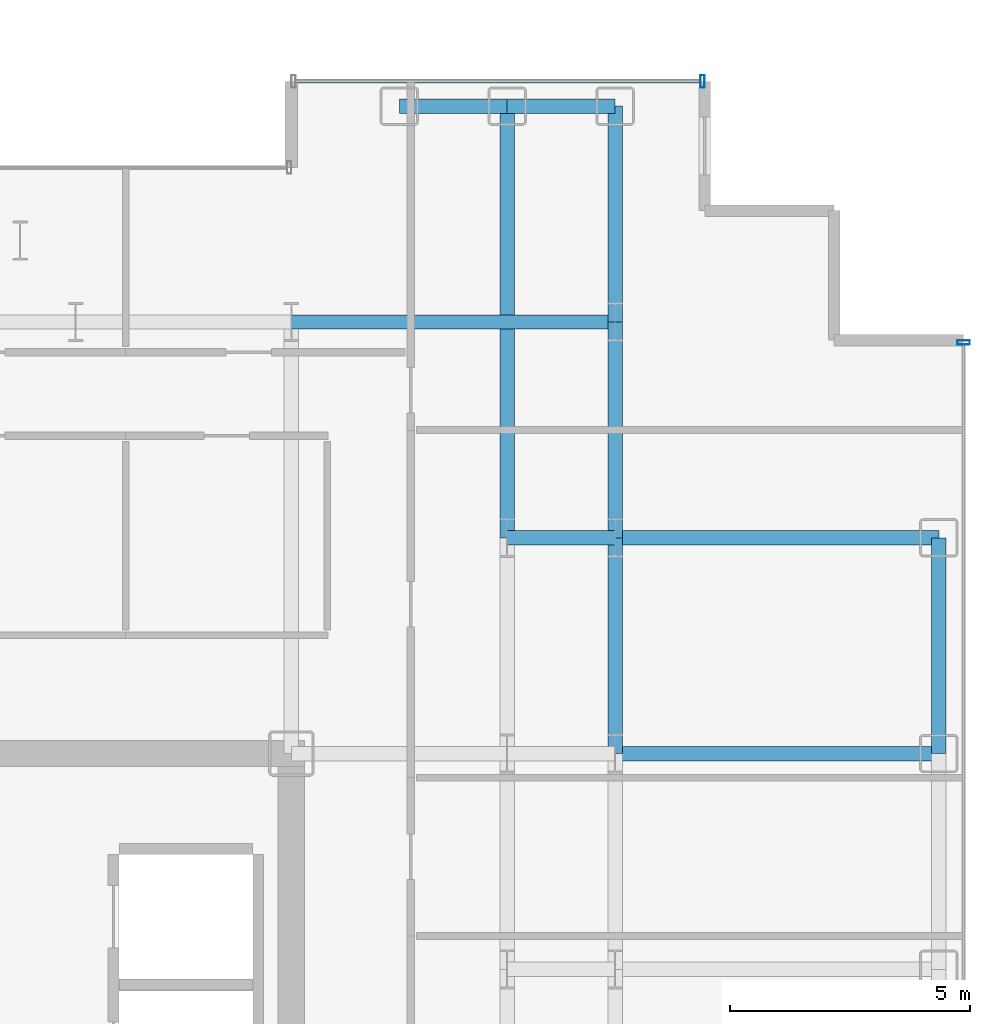
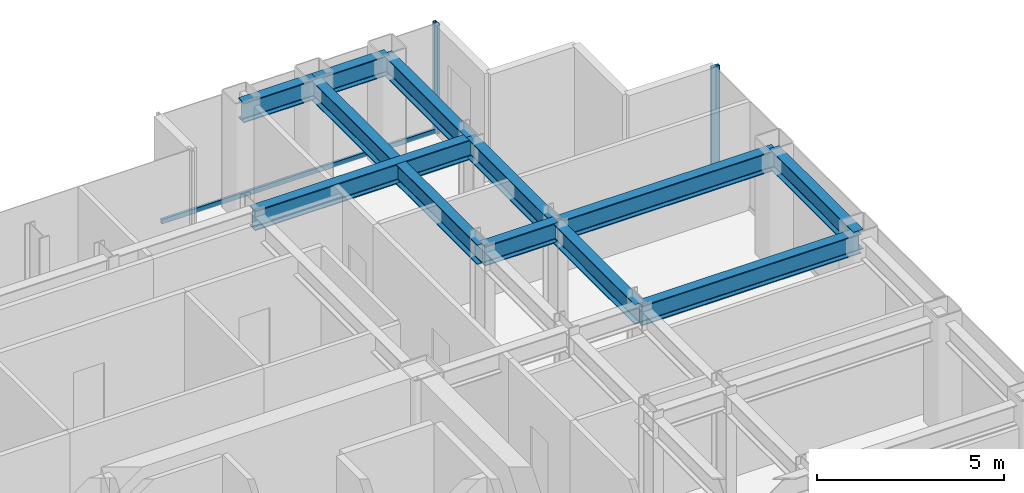
# One storey, part 14 of 23: 11 beams, 3 members, 2 elements without a shape of their own.
"""IFC4 building model written with IfcOpenShell, lengths in metres."""

from ifc_helpers import new_model, si_unit, direction, frame, origin, origin_2d, place, context, subcontext, project, spatial, hollow_rectangle, i_section, extrude, source, transform, mapped, material, layer, layer_set, material_profile, profile_set, type_object, element, aggregate, save


model = new_model("IFC4")

# Units and contexts
model_context = context("Model", 3, precision=1e-05, world=origin(), true_north=direction((0.0, 1.0)))
body_context = subcontext(model_context, "Body", "Model", "MODEL_VIEW")
ifc_project = project(units=[si_unit("LENGTHUNIT", "METRE"), si_unit("AREAUNIT", "SQUARE_METRE"), si_unit("VOLUMEUNIT", "CUBIC_METRE"), si_unit("PLANEANGLEUNIT", "RADIAN"), si_unit("MASSUNIT", "GRAM", prefix="KILO")], contexts=[model_context])

# Site, building, storey
site_placement = place(None, origin())
site = spatial("IfcSite", under=ifc_project, at=site_placement, CompositionType="ELEMENT")
building_placement = place(site_placement, origin())
building = spatial("IfcBuilding", under=site, at=building_placement, Name="Nefas-Gora Pilgrimage Tower", CompositionType="ELEMENT")
storey_placement = place(building_placement, frame((0.0, 0.0, 175.39990234375)))
storey = spatial("IfcBuildingStorey", under=building, at=storey_placement, Name="L43", CompositionType="ELEMENT", Elevation=175.39990234375)

# Beams
ifc_material_1 = material(Name="Steel S355", Category="steel")
ifc_material_profile_1 = material_profile(ifc_material_1, i_section(OverallWidth=0.300048828125, OverallDepth=0.64990234375, WebThickness=0.01611328125, FlangeThickness=0.031005859375, FilletRadius=0.027099609375, at=origin_2d()), Name="HEB 650")
ifc_profile_set_1 = profile_set([ifc_material_profile_1], Name="Steel S355")
beam_type_1 = type_object("IfcBeamType", Name="BM-SPN-HEB500", PredefinedType="SPANDREL", material=ifc_profile_set_1)
shared_shape_1 = source(origin(), body_context, "Body", "SweptSolid", [
    extrude(i_section(OverallWidth=0.300048828125, OverallDepth=0.64990234375, WebThickness=0.01611328125, FlangeThickness=0.031005859375, FilletRadius=0.027099609375, at=origin_2d()), origin(), (0.0, 0.0, 1.0), 4.5),
])
beam_1_placement = place(storey_placement, frame((24.75, 9.0, 3.22509765625), z_axis=(0.0, 1.0, 0.0), x_axis=(-1.0, 0.0, 0.0)))
element("IfcBeam", 1, at=beam_1_placement, inside=storey, type_object=beam_type_1, Name="L43 SP-02 beam", PredefinedType="SPANDREL", context=body_context, shape_type="MappedRepresentation", body=[
    mapped(shared_shape_1, transform((0.0, 0.0, 0.0), x_axis=(1.0, 0.0, 0.0), y_axis=(0.0, 1.0, 0.0), z_axis=(0.0, 0.0, 1.0), scale=1.0)),
])
ifc_material_profile_2 = material_profile(ifc_material_1, i_section(OverallWidth=0.300048828125, OverallDepth=0.64990234375, WebThickness=0.01611328125, FlangeThickness=0.031005859375, FilletRadius=0.027099609375, at=origin_2d()), Name="HEB 650")
ifc_profile_set_2 = profile_set([ifc_material_profile_2], Name="Steel S355")
beam_type_2 = type_object("IfcBeamType", Name="BM-GIR-HEB650", PredefinedType="BEAM", material=ifc_profile_set_2)
shared_shape_2 = source(origin(), body_context, "Body", "SweptSolid", [
    extrude(i_section(OverallWidth=0.300048828125, OverallDepth=0.64990234375, WebThickness=0.01611328125, FlangeThickness=0.031005859375, FilletRadius=0.027099609375, at=origin_2d()), origin(), (0.0, 0.0, 1.0), 9.0),
])
beam_2_placement = place(storey_placement, frame((15.75, 13.5, 3.22509765625), z_axis=(0.0, 1.0, 0.0), x_axis=(-1.0, 0.0, 0.0)))
element("IfcBeam", 2, at=beam_2_placement, inside=storey, type_object=beam_type_2, Name="L43 G-03 beam", PredefinedType="BEAM", context=body_context, shape_type="MappedRepresentation", body=[
    mapped(shared_shape_2, transform((0.0, 0.0, 0.0), x_axis=(1.0, 0.0, 0.0), y_axis=(0.0, 1.0, 0.0), z_axis=(0.0, 0.0, 1.0), scale=1.0)),
])
shared_shape_3 = source(origin(), body_context, "Body", "SweptSolid", [
    extrude(i_section(OverallWidth=0.300048828125, OverallDepth=0.64990234375, WebThickness=0.01611328125, FlangeThickness=0.031005859375, FilletRadius=0.027099609375, at=origin_2d()), origin(), (0.0, 0.0, 1.0), 4.5),
])
for number, where, z_axis, x_axis, name in (
    (3, (18.0, 9.0, 3.22509765625), (0.0, 1.0, 0.0), (-1.0, 0.0, 0.0), "L43 G-03 beam"),
    (4, (18.0, 13.5, 3.22509765625), (0.0, 1.0, 0.0), (-1.0, 0.0, 0.0), "L43 G-03 beam"),
    (5, (18.0, 18.0, 3.22509765625), (0.0, 1.0, 0.0), (-1.0, 0.0, 0.0), "L43 G-03 beam"),
):
    element("IfcBeam", number, at=place(storey_placement, frame(where, z_axis=z_axis, x_axis=x_axis)), inside=storey, type_object=beam_type_2, Name=name, PredefinedType="BEAM", context=body_context, shape_type="MappedRepresentation", body=[
        mapped(shared_shape_3, transform((0.0, 0.0, 0.0), x_axis=(1.0, 0.0, 0.0), y_axis=(0.0, 1.0, 0.0), z_axis=(0.0, 0.0, 1.0), scale=1.0)),
    ])
shared_shape_4 = source(origin(), body_context, "Body", "SweptSolid", [
    extrude(i_section(OverallWidth=0.300048828125, OverallDepth=0.64990234375, WebThickness=0.01611328125, FlangeThickness=0.031005859375, FilletRadius=0.027099609375, at=origin_2d()), origin(), (0.0, 0.0, 1.0), 6.75),
])
for number, where, z_axis, x_axis, name in (
    (6, (11.25, 18.0, 3.22509765625), (1.0, 0.0, 0.0), (0.0, 1.0, 0.0), "L43 G-03 beam"),
    (7, (18.0, 9.0, 3.22509765625), (1.0, 0.0, 0.0), (0.0, 1.0, 0.0), "L43 G-03 beam"),
    (8, (18.0, 13.5, 3.22509765625), (1.0, 0.0, 0.0), (0.0, 1.0, 0.0), "L43 G-03 beam"),
):
    element("IfcBeam", number, at=place(storey_placement, frame(where, z_axis=z_axis, x_axis=x_axis)), inside=storey, type_object=beam_type_2, Name=name, PredefinedType="BEAM", context=body_context, shape_type="MappedRepresentation", body=[
        mapped(shared_shape_4, transform((0.0, 0.0, 0.0), x_axis=(1.0, 0.0, 0.0), y_axis=(0.0, 1.0, 0.0), z_axis=(0.0, 0.0, 1.0), scale=1.0)),
    ])
shared_shape_5 = source(origin(), body_context, "Body", "SweptSolid", [
    extrude(i_section(OverallWidth=0.300048828125, OverallDepth=0.64990234375, WebThickness=0.01611328125, FlangeThickness=0.031005859375, FilletRadius=0.027099609375, at=origin_2d()), origin(), (0.0, 0.0, 1.0), 2.25),
])
for number, where, z_axis, x_axis, name in (
    (9, (13.5, 22.5, 3.22509765625), (1.0, 0.0, 0.0), (0.0, 1.0, 0.0), "L43 SP-02 beam"),
    (10, (15.75, 22.5, 3.22509765625), (1.0, 0.0, 0.0), (0.0, 1.0, 0.0), "L43 SP-02 beam"),
):
    element("IfcBeam", number, at=place(storey_placement, frame(where, z_axis=z_axis, x_axis=x_axis)), inside=storey, type_object=beam_type_1, Name=name, PredefinedType="SPANDREL", context=body_context, shape_type="MappedRepresentation", body=[
        mapped(shared_shape_5, transform((0.0, 0.0, 0.0), x_axis=(1.0, 0.0, 0.0), y_axis=(0.0, 1.0, 0.0), z_axis=(0.0, 0.0, 1.0), scale=1.0)),
    ])
shared_shape_6 = source(origin(), body_context, "Body", "SweptSolid", [
    extrude(i_section(OverallWidth=0.300048828125, OverallDepth=0.64990234375, WebThickness=0.01611328125, FlangeThickness=0.031005859375, FilletRadius=0.027099609375, at=origin_2d()), origin(), (0.0, 0.0, 1.0), 2.25),
])
beam_3_placement = place(storey_placement, frame((15.75, 13.5, 3.22509765625), z_axis=(1.0, 0.0, 0.0), x_axis=(0.0, 1.0, 0.0)))
element("IfcBeam", 11, at=beam_3_placement, inside=storey, type_object=beam_type_2, Name="L43 G-03 beam", PredefinedType="BEAM", context=body_context, shape_type="MappedRepresentation", body=[
    mapped(shared_shape_6, transform((0.0, 0.0, 0.0), x_axis=(1.0, 0.0, 0.0), y_axis=(0.0, 1.0, 0.0), z_axis=(0.0, 0.0, 1.0), scale=1.0)),
])

# Curtain wall, member
ifc_material_2 = material(Name="Dark ceramic-fritted solar-control aluminium-glass curtain wall", Category="aluminium")
ifc_layer = layer(ifc_material_2, 0.219970703125)
ifc_layer_set = layer_set([ifc_layer], Name="Dark ceramic-fritted solar-control aluminium-glass curtain wall")
curtain_wall_type = type_object("IfcCurtainWallType", Name="CW-SYS-3", PredefinedType="NOTDEFINED", material=ifc_layer_set)
curtain_wall_1_placement = place(storey_placement, origin())
curtain_wall_1 = element("IfcCurtainWall", 12, at=curtain_wall_1_placement, inside=storey, type_object=curtain_wall_type, Name="L43 Unitised Curtain Wall CW3", PredefinedType="NOTDEFINED")
ifc_material_3 = material(Name="Anodised architectural aluminium", Category="aluminium")
ifc_material_profile_3 = material_profile(ifc_material_3, hollow_rectangle(XDim=0.090087890625, YDim=0.260009765625, WallThickness=0.006103515625, InnerFilletRadius=0.006103515625, OuterFilletRadius=0.011962890625, at=origin_2d()), Name="ALU MULLION 90x260")
ifc_profile_set_3 = profile_set([ifc_material_profile_3], Name="Anodised architectural aluminium")
member_type_1 = type_object("IfcMemberType", Name="CWM-MUL-3", PredefinedType="MULLION", material=ifc_profile_set_3)
shared_shape_7 = source(origin(), body_context, "Body", "SweptSolid", [
    extrude(hollow_rectangle(XDim=0.090087890625, YDim=0.260009765625, WallThickness=0.006103515625, InnerFilletRadius=0.006103515625, OuterFilletRadius=0.011962890625, at=origin_2d()), origin(), (0.0, 0.0, 1.0), 3.550048828125),
])
member_1_placement = place(storey_placement, frame((25.27001953125, 17.574951171875, 0.0), z_axis=(0.0, 0.0, 1.0), x_axis=(0.0, 1.0, 0.0)))
member_1 = element("IfcMember", 13, at=member_1_placement, type_object=member_type_1, Name="CW3 Mullion 2", PredefinedType="MULLION", context=body_context, shape_type="MappedRepresentation", body=[
    mapped(shared_shape_7, transform((0.0, 0.0, 0.0), x_axis=(1.0, 0.0, 0.0), y_axis=(0.0, 1.0, 0.0), z_axis=(0.0, 0.0, 1.0), scale=1.0)),
])
aggregate(curtain_wall_1, [member_1])

# Curtain wall, members
curtain_wall_2_placement = place(storey_placement, origin())
curtain_wall_2 = element("IfcCurtainWall", 14, at=curtain_wall_2_placement, inside=storey, type_object=curtain_wall_type, Name="L43 Unitised Curtain Wall CW3", PredefinedType="NOTDEFINED")
member_2_placement = place(storey_placement, frame((19.824951171875, 23.02001953125, 0.0), z_axis=(0.0, 0.0, 1.0), x_axis=(-1.0, 0.0, 0.0)))
member_2 = element("IfcMember", 15, at=member_2_placement, type_object=member_type_1, Name="CW3 Mullion 1", PredefinedType="MULLION", context=body_context, shape_type="MappedRepresentation", body=[
    mapped(shared_shape_7, transform((0.0, 0.0, 0.0), x_axis=(1.0, 0.0, 0.0), y_axis=(0.0, 1.0, 0.0), z_axis=(0.0, 0.0, 1.0), scale=1.0)),
])
ifc_material_profile_4 = material_profile(ifc_material_3, hollow_rectangle(XDim=0.080078125, YDim=0.159912109375, WallThickness=0.00439453125, InnerFilletRadius=0.00439453125, OuterFilletRadius=0.009033203125, at=origin_2d()), Name="ALU TRANSOM 80x160")
ifc_profile_set_4 = profile_set([ifc_material_profile_4], Name="Anodised architectural aluminium")
member_type_2 = type_object("IfcMemberType", Name="CWM-TRN-3", PredefinedType="USERDEFINED", material=ifc_profile_set_4)
shared_shape_8 = source(origin(), body_context, "Body", "SweptSolid", [
    extrude(hollow_rectangle(XDim=0.080078125, YDim=0.159912109375, WallThickness=0.00439453125, InnerFilletRadius=0.00439453125, OuterFilletRadius=0.009033203125, at=origin_2d()), origin(), (0.0, 0.0, 1.0), 8.43994140625),
])
member_3_placement = place(storey_placement, frame((19.780029296875, 23.02001953125, 0.050048828125), z_axis=(-1.0, 0.0, 0.0), x_axis=(0.0, -1.0, 0.0)))
member_3 = element("IfcMember", 16, at=member_3_placement, type_object=member_type_2, Name="CW3 Spandrel Transom", ObjectType="TRANSOM", PredefinedType="USERDEFINED", context=body_context, shape_type="MappedRepresentation", body=[
    mapped(shared_shape_8, transform((0.0, 0.0, 0.0), x_axis=(1.0, 0.0, 0.0), y_axis=(0.0, 1.0, 0.0), z_axis=(0.0, 0.0, 1.0), scale=1.0)),
])
aggregate(curtain_wall_2, [member_2, member_3])

save(model, "model.ifc")
